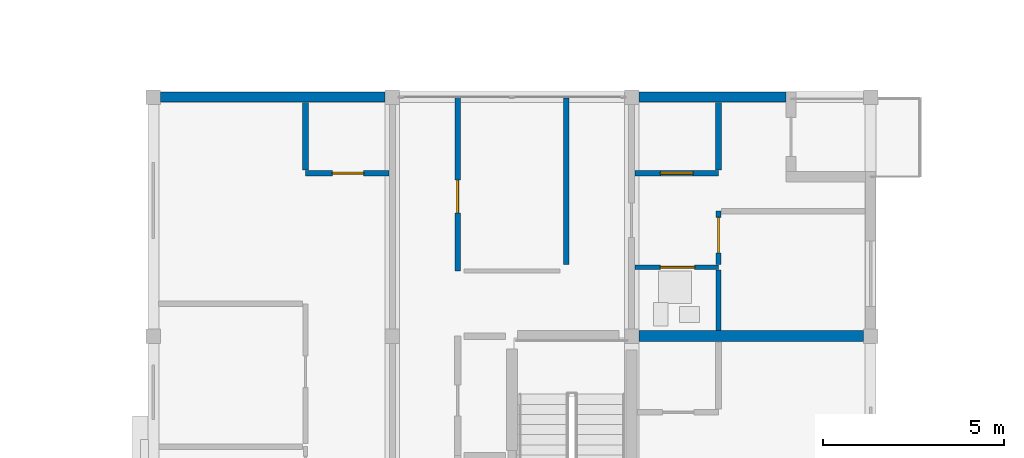
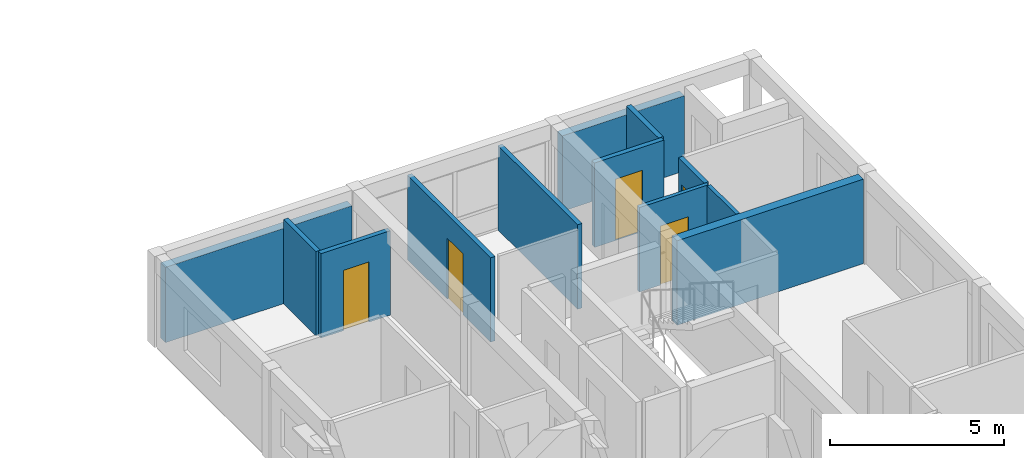
# One storey, part 30 of 49: 12 walls, 5 doors, 5 openings.
"""IFC4 building model written with IfcOpenShell, lengths in metres."""

import ifcopenshell
import ifcopenshell.guid

model = None  # the IFC model being written
_history = None  # IfcOwnerHistory: only IFC2X3 demands one
_inside = {}  # id of a spatial element -> (the spatial element, [elements in it])
_under = {}  # id of a project, library or spatial element -> (it, [spatial elements below it])
_declared = {}  # id of a project -> (the project, [libraries it declares])
_typed = {}  # id of a type object -> (the type object, [elements of that type])
_made_of = {}  # id of a material, layer set ... -> (it, [elements and type objects made of it])


def new_model(schema):
    """Start an empty IFC model of exactly this schema.

    Asked for "IFC4X3", IfcOpenShell would pick the latest addendum, in which some entities
    have other attributes; the version numbers below select the first issue.
    IFC2X3 requires an IfcOwnerHistory on every rooted entity: one is made here for all.
    """
    global model, _history
    if schema == "IFC4X3":
        model = ifcopenshell.file(schema_version=(4, 3, 0, 0))
    else:
        model = ifcopenshell.file(schema=schema)
    _inside.clear()
    _under.clear()
    _declared.clear()
    _typed.clear()
    _made_of.clear()
    _history = None
    if model.schema == "IFC2X3":
        org = make("IfcOrganization", Name="unknown")
        user = make(
            "IfcPersonAndOrganization",
            ThePerson=make("IfcPerson", FamilyName="unknown"),
            TheOrganization=org,
        )
        app = make(
            "IfcApplication",
            ApplicationDeveloper=org,
            Version="unknown",
            ApplicationFullName="unknown",
            ApplicationIdentifier="unknown",
        )
        _history = make(
            "IfcOwnerHistory",
            OwningUser=user,
            OwningApplication=app,
            ChangeAction="ADDED",
            CreationDate=0,
        )
    return model


def make(cls, **values):
    """One entity of the class cls with the attributes given. An attribute that is None is left unset."""
    return model.create_entity(
        cls, **{name: value for name, value in values.items() if value is not None}
    )


def rooted(cls, **values):
    """An entity with a GlobalId (a new one), such as an element, a storey or a relation."""
    return make(cls, GlobalId=ifcopenshell.guid.new(), OwnerHistory=_history, **values)


def si_unit(unit_type, name, prefix=None):
    """IfcSIUnit, for example si_unit("LENGTHUNIT", "METRE", prefix="MILLI")."""
    return make("IfcSIUnit", UnitType=unit_type, Prefix=prefix, Name=name)


def assignment(units):
    """IfcUnitAssignment: the units of a project."""
    return None if units is None else make("IfcUnitAssignment", Units=units)


def point(xyz):
    """IfcCartesianPoint."""
    return None if xyz is None else make("IfcCartesianPoint", Coordinates=xyz)


def direction(xyz):
    """IfcDirection."""
    return None if xyz is None else make("IfcDirection", DirectionRatios=xyz)


def frame(location, z_axis=None, x_axis=None):
    """IfcAxis2Placement3D, a coordinate frame: its origin and axes. An axis left out is left unset."""
    return make(
        "IfcAxis2Placement3D",
        Location=point(location),
        Axis=direction(z_axis),
        RefDirection=direction(x_axis),
    )


def frame_2d(location, x_axis=None):
    """IfcAxis2Placement2D, a coordinate frame in the plane: its origin and x axis."""
    return make(
        "IfcAxis2Placement2D", Location=point(location), RefDirection=direction(x_axis)
    )


def origin():
    """The frame at (0, 0, 0) with its axes left unset."""
    return frame((0.0, 0.0, 0.0))


def place(relative_to, where):
    """IfcLocalPlacement: puts the frame where relative to a parent placement (None: the world)."""
    return make(
        "IfcLocalPlacement", PlacementRelTo=relative_to, RelativePlacement=where
    )


def context(
    kind, dimensions, precision=None, world=None, true_north=None, identifier=None
):
    """IfcGeometricRepresentationContext, for example the 3D "Model" context."""
    return make(
        "IfcGeometricRepresentationContext",
        ContextIdentifier=identifier,
        ContextType=kind,
        CoordinateSpaceDimension=dimensions,
        Precision=precision,
        WorldCoordinateSystem=world,
        TrueNorth=true_north,
    )


def subcontext(parent, identifier, kind, view, scale=None):
    """IfcGeometricRepresentationSubContext, for example "Body" below "Model"."""
    return make(
        "IfcGeometricRepresentationSubContext",
        ContextIdentifier=identifier,
        ContextType=kind,
        ParentContext=parent,
        TargetScale=scale,
        TargetView=view,
    )


def project(units=None, contexts=None):
    """IfcProject with its units and contexts."""
    return rooted(
        "IfcProject",
        Name="project",
        RepresentationContexts=contexts,
        UnitsInContext=assignment(units),
    )


def spatial(cls, under=None, at=None, **own):
    """A site, building, storey or space (cls), placed at a placement, below another one or the project."""
    s = rooted(cls, ObjectPlacement=at, **own)
    if under is not None:
        _under.setdefault(under.id(), (under, []))[1].append(s)
    return s


def profile(cls, at=None, kind="AREA", **sizes):
    """A parametric profile (cls). Its sizes go by their IFC names, for example OverallWidth=200.0."""
    return make(cls, ProfileType=kind, Position=at, **sizes)


def rectangle(**sizes):
    """IfcRectangleProfileDef."""
    return profile("IfcRectangleProfileDef", **sizes)


def extrude(swept, where, along, depth):
    """IfcExtrudedAreaSolid: the profile swept, set in the frame where, extruded along a direction by depth."""
    return make(
        "IfcExtrudedAreaSolid",
        SweptArea=swept,
        Position=where,
        ExtrudedDirection=direction(along),
        Depth=depth,
    )


def shape(context_of_items, identifier, shape_type, items):
    """IfcShapeRepresentation: the items that make up one representation, for example the "Body"."""
    return make(
        "IfcShapeRepresentation",
        ContextOfItems=context_of_items,
        RepresentationIdentifier=identifier,
        RepresentationType=shape_type,
        Items=items,
    )


def material(Name=None, Category=None):
    """IfcMaterial."""
    return make("IfcMaterial", Name=Name, Category=Category)


def layer(
    of_material, thickness, ventilated=None, Name=None, Category=None, Priority=None
):
    """IfcMaterialLayer: one layer of a wall or slab, of a material (None: an air gap)."""
    return make(
        "IfcMaterialLayer",
        Material=of_material,
        LayerThickness=thickness,
        IsVentilated=ventilated,
        Name=Name,
        Category=Category,
        Priority=Priority,
    )


def layer_set(layers, Name=None):
    """IfcMaterialLayerSet."""
    return make("IfcMaterialLayerSet", MaterialLayers=layers, LayerSetName=Name)


def made_of(thing, what):
    """Note that an element or type object is made of a material, layer set ...; save() writes the relation."""
    if what is not None:
        _made_of.setdefault(what.id(), (what, []))[1].append(thing)
    return thing


def type_object(cls, material=None, **own):
    """A type object (cls), such as IfcWallType, which elements share."""
    return made_of(rooted(cls, **own), material)


def element(
    cls,
    number,
    at=None,
    inside=None,
    cuts=None,
    type_object=None,
    material=None,
    context=None,
    identifier="Body",
    shape_type=None,
    held_by="IfcProductDefinitionShape",
    body=None,
    shapes=None,
    **own,
):
    """One element of the class cls, such as IfcWall. Its Tag is "e" and its number.

    at: its placement. inside: the storey or other place that contains it. cuts: it is an
    opening in that element (IfcRelVoidsElement). A single representation is given by context,
    identifier, shape_type and body (its items); several are given by shapes. held_by: the class
    of the entity that holds the representations. save() writes the other relations.
    """
    e = rooted(cls, Tag="e%d" % number, ObjectPlacement=at, **own)
    if body is not None:
        shapes = [shape(context, identifier, shape_type, body)]
    if shapes is not None:
        e.Representation = make(held_by, Representations=shapes)
    if inside is not None:
        _inside.setdefault(inside.id(), (inside, []))[1].append(e)
    if cuts is not None:
        rooted(
            "IfcRelVoidsElement", RelatingBuildingElement=cuts, RelatedOpeningElement=e
        )
    if type_object is not None:
        _typed.setdefault(type_object.id(), (type_object, []))[1].append(e)
    return made_of(e, material)


def fill(opening, filler):
    """IfcRelFillsElement: the door or window that sits in an opening."""
    return rooted(
        "IfcRelFillsElement",
        RelatingOpeningElement=opening,
        RelatedBuildingElement=filler,
    )


def aggregate(whole, parts):
    """IfcRelAggregates: a whole, such as a stair, and the parts it consists of."""
    return rooted("IfcRelAggregates", RelatingObject=whole, RelatedObjects=parts)


def save(model, path):
    """Write the relations noted so far, then the file.

    IfcRelAggregates (storeys below a building ...), IfcRelContainedInSpatialStructure (elements
    in a storey), IfcRelDefinesByType, IfcRelAssociatesMaterial and IfcRelDeclares: one each for
    every whole, place, type object, material and project.
    """
    for whole, parts in _under.values():
        aggregate(whole, parts)
    for where, things in _inside.values():
        rooted(
            "IfcRelContainedInSpatialStructure",
            RelatedElements=things,
            RelatingStructure=where,
        )
    for kind, things in _typed.values():
        rooted("IfcRelDefinesByType", RelatedObjects=things, RelatingType=kind)
    for what, things in _made_of.values():
        rooted("IfcRelAssociatesMaterial", RelatedObjects=things, RelatingMaterial=what)
    for by, libraries in _declared.values():
        rooted("IfcRelDeclares", RelatingContext=by, RelatedDefinitions=libraries)
    model.write(path)


model = new_model("IFC4")

# Units and contexts
model_context = context("Model", 3, precision=1e-05, world=origin(), true_north=direction((0.0, 1.0)))
body_context = subcontext(model_context, "Body", "Model", "MODEL_VIEW")
ifc_project = project(units=[si_unit("LENGTHUNIT", "METRE"), si_unit("AREAUNIT", "SQUARE_METRE"), si_unit("VOLUMEUNIT", "CUBIC_METRE"), si_unit("PLANEANGLEUNIT", "RADIAN"), si_unit("MASSUNIT", "GRAM", prefix="KILO")], contexts=[model_context])

# Site, building, storey
site_placement = place(None, origin())
site = spatial("IfcSite", under=ifc_project, at=site_placement, CompositionType="ELEMENT")
building_placement = place(site_placement, origin())
building = spatial("IfcBuilding", under=site, at=building_placement, Name="Kernevlak Ridge Housing Community", CompositionType="ELEMENT")
storey_placement = place(building_placement, frame((0.0, 0.0, 30.800048828125)))
storey = spatial("IfcBuildingStorey", under=building, at=storey_placement, Name="L09", CompositionType="ELEMENT", Elevation=30.800048828125)

# Walls
ifc_material_1 = material(Name="Concrete block masonry M10", Category="masonry")
ifc_layer_1 = layer(ifc_material_1, 0.280029296875, Name="Concrete block masonry M10")
ifc_layer_set_1 = layer_set([ifc_layer_1], Name="Concrete block masonry M10")
wall_type_1 = type_object("IfcWallType", Name="EW-03", PredefinedType="STANDARD", material=ifc_layer_set_1)
wall_1_placement = place(storey_placement, frame((126.199951171875, 42.0, 0.0), z_axis=(0.0, 0.0, 1.0), x_axis=(1.0, 0.0, 0.0)))
element("IfcWall", 1, at=wall_1_placement, inside=storey, type_object=wall_type_1, Name="Exterior wall EW-03 L09 668", PredefinedType="STANDARD", context=body_context, shape_type="SweptSolid", body=[
    extrude(rectangle(XDim=6.199951171875, YDim=0.280029296875, at=frame_2d((3.10009765625, 0.0))), origin(), (0.0, 0.0, 1.0), 2.64990234375),
])
wall_2_placement = place(storey_placement, frame((139.39990234375, 42.0, 0.0), z_axis=(0.0, 0.0, 1.0), x_axis=(1.0, 0.0, 0.0)))
element("IfcWall", 2, at=wall_2_placement, inside=storey, type_object=wall_type_1, Name="Exterior wall EW-03 L09 669", PredefinedType="STANDARD", context=body_context, shape_type="SweptSolid", body=[
    extrude(rectangle(XDim=4.06005859375, YDim=0.280029296875, at=frame_2d((2.030029296875, 0.0))), origin(), (0.0, 0.0, 1.0), 2.64990234375),
])

# Wall, opening, door
ifc_layer_2 = layer(ifc_material_1, 0.14501953125, Name="Concrete block masonry M10")
ifc_layer_set_2 = layer_set([ifc_layer_2], Name="Concrete block masonry M10")
wall_type_2 = type_object("IfcWallType", Name="PW-03", PredefinedType="PARTITIONING", material=ifc_layer_set_2)
wall_3_placement = place(storey_placement, frame((134.39990234375, 37.199951171875, 0.0), z_axis=(0.0, 0.0, 1.0), x_axis=(0.0, 1.0, 0.0)))
wall_3 = element("IfcWall", 3, at=wall_3_placement, inside=storey, type_object=wall_type_2, Name="Interior wall PW-03 WAL-INT-L09-2684", PredefinedType="PARTITIONING", context=body_context, shape_type="SweptSolid", body=[
    extrude(rectangle(XDim=4.800048828125, YDim=0.14501953125, at=frame_2d((2.39990234375, 0.0))), origin(), (0.0, 0.0, 1.0), 2.969970703125),
])
opening_1_placement = place(wall_3_placement, frame((1.60009765625, 0.0, 0.0)))
opening_1 = element("IfcOpeningElement", 4, at=opening_1_placement, cuts=wall_3, Name="Opening E360", PredefinedType="OPENING", context=body_context, shape_type="SweptSolid", body=[
    extrude(rectangle(XDim=0.909912109375, YDim=2.139892578125, at=frame_2d((0.455078125, 1.06982421875))), frame((0.0, 0.08251953125, 0.0), z_axis=(0.0, -1.0, 0.0), x_axis=(1.0, 0.0, 0.0)), (0.0, 0.0, 1.0), 0.1650390625),
])
ifc_material_2 = material(Name="Hardwood timber leaf", Category="wood")
door_type_1 = type_object("IfcDoorType", Name="DT-31", OperationType="NOTDEFINED", PredefinedType="DOOR", material=ifc_material_2)
door_1_placement = place(opening_1_placement, origin())
door_1 = element("IfcDoor", 5, at=door_1_placement, inside=storey, type_object=door_type_1, Name="Block C Laundry room door E360", OperationType="SINGLE_SWING_LEFT", OverallHeight=2.139892578125, OverallWidth=0.909912109375, PredefinedType="DOOR", context=body_context, shape_type="SweptSolid", body=[
    extrude(rectangle(XDim=0.909912109375, YDim=2.139892578125, at=frame_2d((0.455078125, 1.06982421875))), frame((0.0, 0.02490234375, 0.0), z_axis=(0.0, -1.0, 0.0), x_axis=(1.0, 0.0, 0.0)), (0.0, 0.0, 1.0), 0.050048828125),
])
fill(opening_1, door_1)

# Wall
wall_4_placement = place(storey_placement, frame((137.39990234375, 37.3798828125, 0.0), z_axis=(0.0, 0.0, 1.0), x_axis=(0.0, 1.0, 0.0)))
element("IfcWall", 6, at=wall_4_placement, inside=storey, type_object=wall_type_2, Name="Interior wall PW-03 WAL-INT-L09-2685", PredefinedType="PARTITIONING", context=body_context, shape_type="SweptSolid", body=[
    extrude(rectangle(XDim=4.60009765625, YDim=0.14501953125, at=frame_2d((2.300048828125, 0.0))), origin(), (0.0, 0.0, 1.0), 2.969970703125),
])

# Wall, opening, door
wall_5_placement = place(storey_placement, frame((141.60009765625, 37.37255859375, 0.0), z_axis=(0.0, 0.0, 1.0), x_axis=(0.0, 1.0, 0.0)))
wall_5 = element("IfcWall", 7, at=wall_5_placement, inside=storey, type_object=wall_type_2, Name="Interior wall PW-03 WAL-INT-L09-2727", PredefinedType="PARTITIONING", context=body_context, shape_type="SweptSolid", body=[
    extrude(rectangle(XDim=1.4775390625, YDim=0.14501953125, at=frame_2d((0.73876953125, 0.0))), origin(), (0.0, 0.0, 1.0), 2.969970703125),
])
opening_2_placement = place(wall_5_placement, frame((0.327392578125, 0.0, 0.0)))
opening_2 = element("IfcOpeningElement", 8, at=opening_2_placement, cuts=wall_5, Name="Opening E383", PredefinedType="OPENING", context=body_context, shape_type="SweptSolid", body=[
    extrude(rectangle(XDim=0.97998046875, YDim=2.1201171875, at=frame_2d((0.489990234375, 1.06005859375))), frame((0.0, 0.08251953125, 0.0), z_axis=(0.0, -1.0, 0.0), x_axis=(1.0, 0.0, 0.0)), (0.0, 0.0, 1.0), 0.1650390625),
])
door_type_2 = type_object("IfcDoorType", Name="DT-24", OperationType="NOTDEFINED", PredefinedType="DOOR", material=ifc_material_2)
door_2_placement = place(opening_2_placement, origin())
door_2 = element("IfcDoor", 9, at=door_2_placement, inside=storey, type_object=door_type_2, Name="Flat C0923 bedroom door E383", OperationType="SINGLE_SWING_RIGHT", OverallHeight=2.1201171875, OverallWidth=0.97998046875, PredefinedType="DOOR", context=body_context, shape_type="SweptSolid", body=[
    extrude(rectangle(XDim=0.97998046875, YDim=2.1201171875, at=frame_2d((0.489990234375, 1.06005859375))), frame((0.0, 0.02490234375, 0.0), z_axis=(0.0, -1.0, 0.0), x_axis=(1.0, 0.0, 0.0)), (0.0, 0.0, 1.0), 0.050048828125),
])
fill(opening_2, door_2)

ifc_material_3 = material(Name="Gypsum plasterboard EN 520", Category="gypsum")
ifc_layer_3 = layer(ifc_material_3, 0.125, Name="Gypsum plasterboard EN 520")
ifc_layer_set_3 = layer_set([ifc_layer_3], Name="Gypsum plasterboard EN 520")
wall_type_3 = type_object("IfcWallType", Name="PW-04", PredefinedType="PARTITIONING", material=ifc_layer_set_3)
wall_6_placement = place(storey_placement, frame((139.297607421875, 37.300048828125, 0.0), z_axis=(0.0, 0.0, 1.0), x_axis=(1.0, 0.0, 0.0)))
wall_6 = element("IfcWall", 10, at=wall_6_placement, inside=storey, type_object=wall_type_3, Name="Interior wall PW-04 WAL-INT-L09-2723", PredefinedType="PARTITIONING", context=body_context, shape_type="SweptSolid", body=[
    extrude(rectangle(XDim=2.302490234375, YDim=0.125, at=frame_2d((1.1513671875, 0.0))), origin(), (0.0, 0.0, 1.0), 2.969970703125),
])
opening_3_placement = place(wall_6_placement, frame((0.699951171875, 0.0, 0.0)))
opening_3 = element("IfcOpeningElement", 11, at=opening_3_placement, cuts=wall_6, Name="Opening E381", PredefinedType="OPENING", context=body_context, shape_type="SweptSolid", body=[
    extrude(rectangle(XDim=0.93994140625, YDim=2.080078125, at=frame_2d((0.469970703125, 1.0400390625))), frame((0.0, 0.072509765625, 0.0), z_axis=(0.0, -1.0, 0.0), x_axis=(1.0, 0.0, 0.0)), (0.0, 0.0, 1.0), 0.14501953125),
])
ifc_material_4 = material(Name="Hardwood timber moisture-resistant leaf", Category="wood")
door_type_3 = type_object("IfcDoorType", Name="DT-23", OperationType="NOTDEFINED", PredefinedType="DOOR", material=ifc_material_4)
door_3_placement = place(opening_3_placement, origin())
door_3 = element("IfcDoor", 12, at=door_3_placement, inside=storey, type_object=door_type_3, Name="Flat C0923 bathroom door E381", OperationType="SINGLE_SWING_RIGHT", OverallHeight=2.080078125, OverallWidth=0.93994140625, PredefinedType="DOOR", context=body_context, shape_type="SweptSolid", body=[
    extrude(rectangle(XDim=0.93994140625, YDim=2.080078125, at=frame_2d((0.469970703125, 1.0400390625))), frame((0.0, 0.02490234375, 0.0), z_axis=(0.0, -1.0, 0.0), x_axis=(1.0, 0.0, 0.0)), (0.0, 0.0, 1.0), 0.050048828125),
])
fill(opening_3, door_3)

# Wall
wall_7_placement = place(storey_placement, frame((141.60009765625, 35.56005859375, 0.0), z_axis=(0.0, 0.0, 1.0), x_axis=(0.0, 1.0, 0.0)))
element("IfcWall", 13, at=wall_7_placement, inside=storey, type_object=wall_type_3, Name="Interior wall PW-04 WAL-INT-L09-2724", PredefinedType="PARTITIONING", context=body_context, shape_type="SweptSolid", body=[
    extrude(rectangle(XDim=1.659912109375, YDim=0.125, at=frame_2d((0.830078125, 0.0))), origin(), (0.0, 0.0, 1.0), 2.969970703125),
])

# Wall, opening, door
ifc_layer_4 = layer(ifc_material_3, 0.155029296875, Name="Gypsum plasterboard EN 520")
ifc_layer_set_4 = layer_set([ifc_layer_4], Name="Gypsum plasterboard EN 520")
wall_type_4 = type_object("IfcWallType", Name="PW-05", PredefinedType="PARTITIONING", material=ifc_layer_set_4)
wall_8_placement = place(storey_placement, frame((132.50244140625, 39.89990234375, 0.0), z_axis=(0.0, 0.0, 1.0), x_axis=(-1.0, 0.0, 0.0)))
wall_8 = element("IfcWall", 14, at=wall_8_placement, inside=storey, type_object=wall_type_4, Name="Interior wall PW-05 WAL-INT-L09-2699", PredefinedType="PARTITIONING", context=body_context, shape_type="SweptSolid", body=[
    extrude(rectangle(XDim=2.302490234375, YDim=0.155029296875, at=frame_2d((1.1513671875, 0.0))), origin(), (0.0, 0.0, 1.0), 2.969970703125),
])
opening_4_placement = place(wall_8_placement, frame((0.699951171875, 0.0, 0.0)))
opening_4 = element("IfcOpeningElement", 15, at=opening_4_placement, cuts=wall_8, Name="Opening E368", PredefinedType="OPENING", context=body_context, shape_type="SweptSolid", body=[
    extrude(rectangle(XDim=0.860107421875, YDim=2.1201171875, at=frame_2d((0.43017578125, 1.06005859375))), frame((0.0, 0.08740234375, 0.0), z_axis=(0.0, -1.0, 0.0), x_axis=(1.0, 0.0, 0.0)), (0.0, 0.0, 1.0), 0.175048828125),
])
door_type_4 = type_object("IfcDoorType", Name="DT-28", OperationType="NOTDEFINED", PredefinedType="DOOR", material=ifc_material_2)
door_4_placement = place(opening_4_placement, origin())
door_4 = element("IfcDoor", 16, at=door_4_placement, inside=storey, type_object=door_type_4, Name="Flat C0912 kitchen door E368", OperationType="SINGLE_SWING_LEFT", OverallHeight=2.1201171875, OverallWidth=0.860107421875, PredefinedType="DOOR", context=body_context, shape_type="SweptSolid", body=[
    extrude(rectangle(XDim=0.860107421875, YDim=2.1201171875, at=frame_2d((0.43017578125, 1.06005859375))), frame((0.0, 0.02490234375, 0.0), z_axis=(0.0, -1.0, 0.0), x_axis=(1.0, 0.0, 0.0)), (0.0, 0.0, 1.0), 0.050048828125),
])
fill(opening_4, door_4)

# Wall
wall_9_placement = place(storey_placement, frame((130.199951171875, 39.987548828125, 0.0), z_axis=(0.0, 0.0, 1.0), x_axis=(0.0, 1.0, 0.0)))
element("IfcWall", 17, at=wall_9_placement, inside=storey, type_object=wall_type_4, Name="Interior wall PW-05 WAL-INT-L09-2700", PredefinedType="PARTITIONING", context=body_context, shape_type="SweptSolid", body=[
    extrude(rectangle(XDim=1.862548828125, YDim=0.155029296875, at=frame_2d((0.93115234375, 0.0))), origin(), (0.0, 0.0, 1.0), 2.969970703125),
])

# Wall, opening, door
wall_10_placement = place(storey_placement, frame((139.297607421875, 39.89990234375, 0.0), z_axis=(0.0, 0.0, 1.0), x_axis=(1.0, 0.0, 0.0)))
wall_10 = element("IfcWall", 18, at=wall_10_placement, inside=storey, type_object=wall_type_4, Name="Interior wall PW-05 WAL-INT-L09-2725", PredefinedType="PARTITIONING", context=body_context, shape_type="SweptSolid", body=[
    extrude(rectangle(XDim=2.302490234375, YDim=0.155029296875, at=frame_2d((1.1513671875, 0.0))), origin(), (0.0, 0.0, 1.0), 2.969970703125),
])
opening_5_placement = place(wall_10_placement, frame((0.699951171875, 0.0, 0.0)))
opening_5 = element("IfcOpeningElement", 19, at=opening_5_placement, cuts=wall_10, Name="Opening E382", PredefinedType="OPENING", context=body_context, shape_type="SweptSolid", body=[
    extrude(rectangle(XDim=0.89990234375, YDim=2.159912109375, at=frame_2d((0.449951171875, 1.080078125))), frame((0.0, 0.08740234375, 0.0), z_axis=(0.0, -1.0, 0.0), x_axis=(1.0, 0.0, 0.0)), (0.0, 0.0, 1.0), 0.175048828125),
])
door_type_5 = type_object("IfcDoorType", Name="DT-22", OperationType="NOTDEFINED", PredefinedType="DOOR", material=ifc_material_2)
door_5_placement = place(opening_5_placement, origin())
door_5 = element("IfcDoor", 20, at=door_5_placement, inside=storey, type_object=door_type_5, Name="Flat C0923 kitchen door E382", OperationType="SINGLE_SWING_LEFT", OverallHeight=2.159912109375, OverallWidth=0.89990234375, PredefinedType="DOOR", context=body_context, shape_type="SweptSolid", body=[
    extrude(rectangle(XDim=0.89990234375, YDim=2.159912109375, at=frame_2d((0.449951171875, 1.080078125))), frame((0.0, 0.02490234375, 0.0), z_axis=(0.0, -1.0, 0.0), x_axis=(1.0, 0.0, 0.0)), (0.0, 0.0, 1.0), 0.050048828125),
])
fill(opening_5, door_5)

# Walls
wall_11_placement = place(storey_placement, frame((141.60009765625, 39.987548828125, 0.0), z_axis=(0.0, 0.0, 1.0), x_axis=(0.0, 1.0, 0.0)))
element("IfcWall", 21, at=wall_11_placement, inside=storey, type_object=wall_type_4, Name="Interior wall PW-05 WAL-INT-L09-2726", PredefinedType="PARTITIONING", context=body_context, shape_type="SweptSolid", body=[
    extrude(rectangle(XDim=1.862548828125, YDim=0.155029296875, at=frame_2d((0.93115234375, 0.0))), origin(), (0.0, 0.0, 1.0), 2.969970703125),
])
ifc_material_5 = material(Name="Concrete C40/50", Category="concrete")
ifc_layer_5 = layer(ifc_material_5, 0.300048828125, Name="Concrete C40/50")
ifc_layer_set_5 = layer_set([ifc_layer_5], Name="Concrete C40/50")
wall_type_5 = type_object("IfcWallType", Name="SW-02", PredefinedType="SHEAR", material=ifc_layer_set_5)
wall_12_placement = place(storey_placement, frame((139.39990234375, 35.39990234375, 0.0), z_axis=(0.0, 0.0, 1.0), x_axis=(1.0, 0.0, 0.0)))
element("IfcWall", 22, at=wall_12_placement, inside=storey, type_object=wall_type_5, Name="Shear wall SW-02 Block C L09 470", PredefinedType="SHEAR", context=body_context, shape_type="SweptSolid", body=[
    extrude(rectangle(XDim=6.2001953125, YDim=0.300048828125, at=frame_2d((3.10009765625, 0.0))), origin(), (0.0, 0.0, 1.0), 2.969970703125),
])

save(model, "model.ifc")
